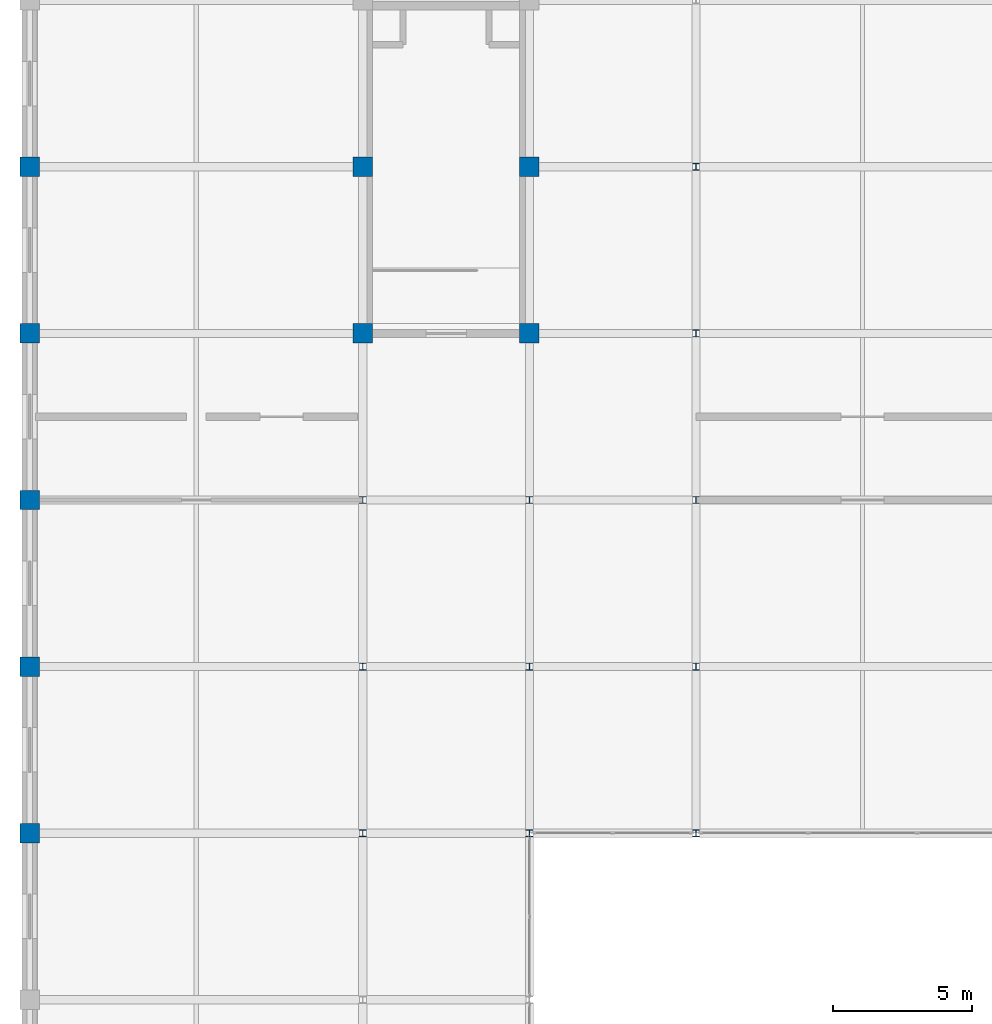
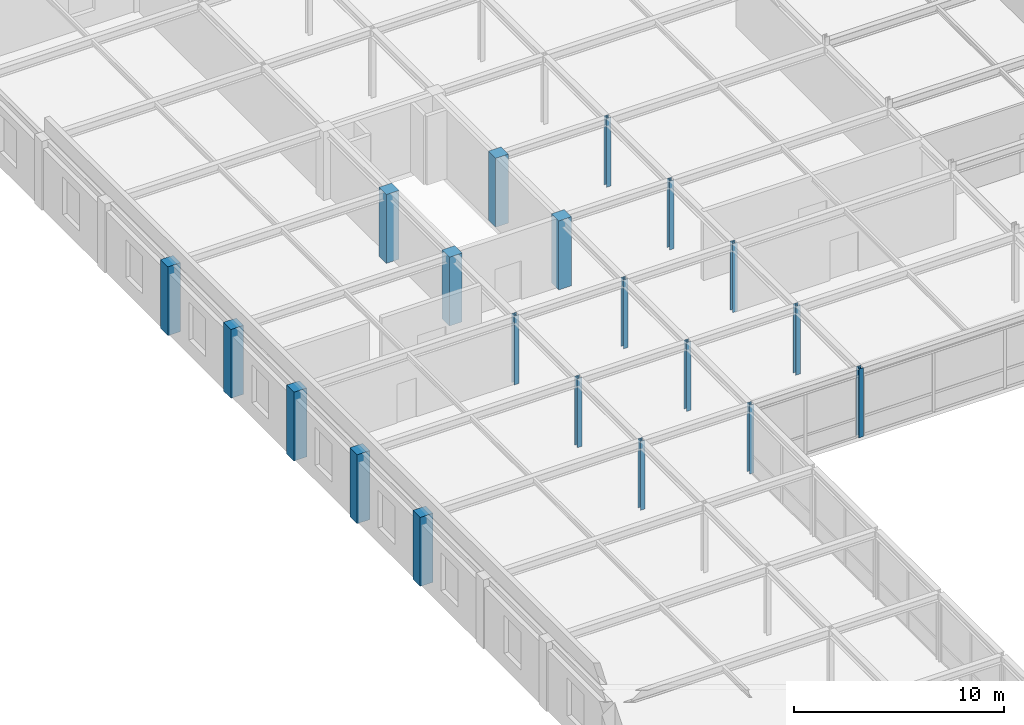
# One storey, part 13 of 111: 20 columns.
"""IFC4 building model written with IfcOpenShell, lengths in metres."""

from ifc_helpers import new_model, si_unit, direction, frame, origin, origin_2d, place, context, subcontext, project, spatial, rectangle, i_section, extrude, material, material_profile, profile_set, type_object, element, save


model = new_model("IFC4")

# Units and contexts
model_context = context("Model", 3, precision=1e-05, world=origin(), true_north=direction((0.0, 1.0)))
body_context = subcontext(model_context, "Body", "Model", "MODEL_VIEW")
ifc_project = project(units=[si_unit("LENGTHUNIT", "METRE"), si_unit("AREAUNIT", "SQUARE_METRE"), si_unit("VOLUMEUNIT", "CUBIC_METRE"), si_unit("PLANEANGLEUNIT", "RADIAN"), si_unit("MASSUNIT", "GRAM", prefix="KILO")], contexts=[model_context])

# Site, building, storey
site_placement = place(None, origin())
site = spatial("IfcSite", under=ifc_project, at=site_placement, CompositionType="ELEMENT")
building_placement = place(site_placement, origin())
building = spatial("IfcBuilding", under=site, at=building_placement, Name="Zlatovratsky Civic Hall", CompositionType="ELEMENT")
storey_placement = place(building_placement, frame((0.0, 0.0, 16.5)))
storey = spatial("IfcBuildingStorey", under=building, at=storey_placement, Name="L04", CompositionType="ELEMENT", Elevation=16.5)

# Columns
ifc_material_1 = material(Name="Concrete C35/45 (B40)", Category="concrete")
ifc_material_profile_1 = material_profile(ifc_material_1, rectangle(XDim=0.699951171875, YDim=0.699951171875, at=origin_2d()), Name="RC 700x700")
ifc_profile_set_1 = profile_set([ifc_material_profile_1], Name="Concrete C35/45 (B40)")
column_type_1 = type_object("IfcColumnType", Name="Col_CorePier_RC700", PredefinedType="COLUMN", material=ifc_profile_set_1)
for number, where, z_axis, x_axis, name in (
    (1, (0.0, 66.0, 0.0), (0.0, 0.0, 1.0), (1.0, 0.0, 0.0), "CL-1711"),
    (2, (0.0, 72.0, 0.0), (0.0, 0.0, 1.0), (1.0, 0.0, 0.0), "CL-1729"),
    (3, (0.0, 78.0, 0.0), (0.0, 0.0, 1.0), (1.0, 0.0, 0.0), "CL-1752"),
    (4, (0.0, 84.0, 0.0), (0.0, 0.0, 1.0), (1.0, 0.0, 0.0), "CL-1775"),
    (5, (12.0, 84.0, 0.0), (0.0, 0.0, 1.0), (1.0, 0.0, 0.0), "CL-1776"),
    (6, (18.0, 84.0, 0.0), (0.0, 0.0, 1.0), (1.0, 0.0, 0.0), "CL-1777"),
    (7, (0.0, 90.0, 0.0), (0.0, 0.0, 1.0), (1.0, 0.0, 0.0), "CL-1798"),
    (8, (12.0, 90.0, 0.0), (0.0, 0.0, 1.0), (1.0, 0.0, 0.0), "CL-1799"),
    (9, (18.0, 90.0, 0.0), (0.0, 0.0, 1.0), (1.0, 0.0, 0.0), "CL-1800"),
):
    element("IfcColumn", number, at=place(storey_placement, frame(where, z_axis=z_axis, x_axis=x_axis)), inside=storey, type_object=column_type_1, Name=name, PredefinedType="COLUMN", context=body_context, shape_type="SweptSolid", body=[
        extrude(rectangle(XDim=0.699951171875, YDim=0.699951171875, at=origin_2d()), origin(), (0.0, 0.0, 1.0), 4.0),
    ])
ifc_material_2 = material(Name="Steel S355", Category="steel")
ifc_material_profile_2 = material_profile(ifc_material_2, i_section(OverallWidth=0.25, OverallDepth=0.25, WebThickness=0.009033203125, FlangeThickness=0.013916015625, FilletRadius=0.01611328125, at=origin_2d()), Name="25K2")
ifc_profile_set_2 = profile_set([ifc_material_profile_2], Name="Steel S355")
column_type_2 = type_object("IfcColumnType", Name="Col_Steel_25K2", PredefinedType="COLUMN", material=ifc_profile_set_2)
for number, where, z_axis, x_axis, name in (
    (10, (12.0, 66.0, 0.0), (0.0, 0.0, 1.0), (1.0, 0.0, 0.0), "CL-1712"),
    (11, (18.0, 66.0, 0.0), (0.0, 0.0, 1.0), (1.0, 0.0, 0.0), "CL-1713"),
    (12, (24.0, 66.0, 0.0), (0.0, 0.0, 1.0), (1.0, 0.0, 0.0), "CL-1714"),
    (13, (12.0, 72.0, 0.0), (0.0, 0.0, 1.0), (1.0, 0.0, 0.0), "CL-1730"),
    (14, (18.0, 72.0, 0.0), (0.0, 0.0, 1.0), (1.0, 0.0, 0.0), "CL-1731"),
    (15, (24.0, 72.0, 0.0), (0.0, 0.0, 1.0), (1.0, 0.0, 0.0), "CL-1732"),
    (16, (12.0, 78.0, 0.0), (0.0, 0.0, 1.0), (1.0, 0.0, 0.0), "CL-1753"),
    (17, (18.0, 78.0, 0.0), (0.0, 0.0, 1.0), (1.0, 0.0, 0.0), "CL-1754"),
    (18, (24.0, 78.0, 0.0), (0.0, 0.0, 1.0), (1.0, 0.0, 0.0), "CL-1755"),
    (19, (24.0, 84.0, 0.0), (0.0, 0.0, 1.0), (1.0, 0.0, 0.0), "CL-1778"),
    (20, (24.0, 90.0, 0.0), (0.0, 0.0, 1.0), (1.0, 0.0, 0.0), "CL-1801"),
):
    element("IfcColumn", number, at=place(storey_placement, frame(where, z_axis=z_axis, x_axis=x_axis)), inside=storey, type_object=column_type_2, Name=name, PredefinedType="COLUMN", context=body_context, shape_type="SweptSolid", body=[
        extrude(i_section(OverallWidth=0.25, OverallDepth=0.25, WebThickness=0.009033203125, FlangeThickness=0.013916015625, FilletRadius=0.01611328125, at=origin_2d()), origin(), (0.0, 0.0, 1.0), 4.0),
    ])

save(model, "model.ifc")
